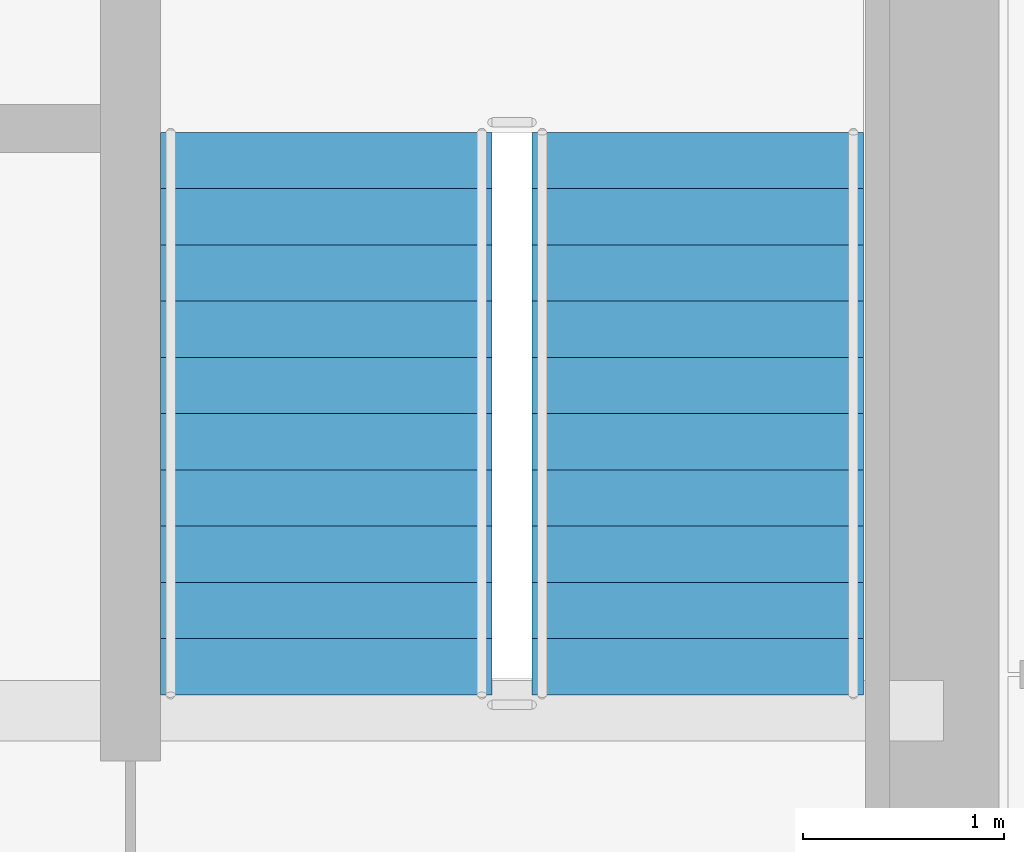
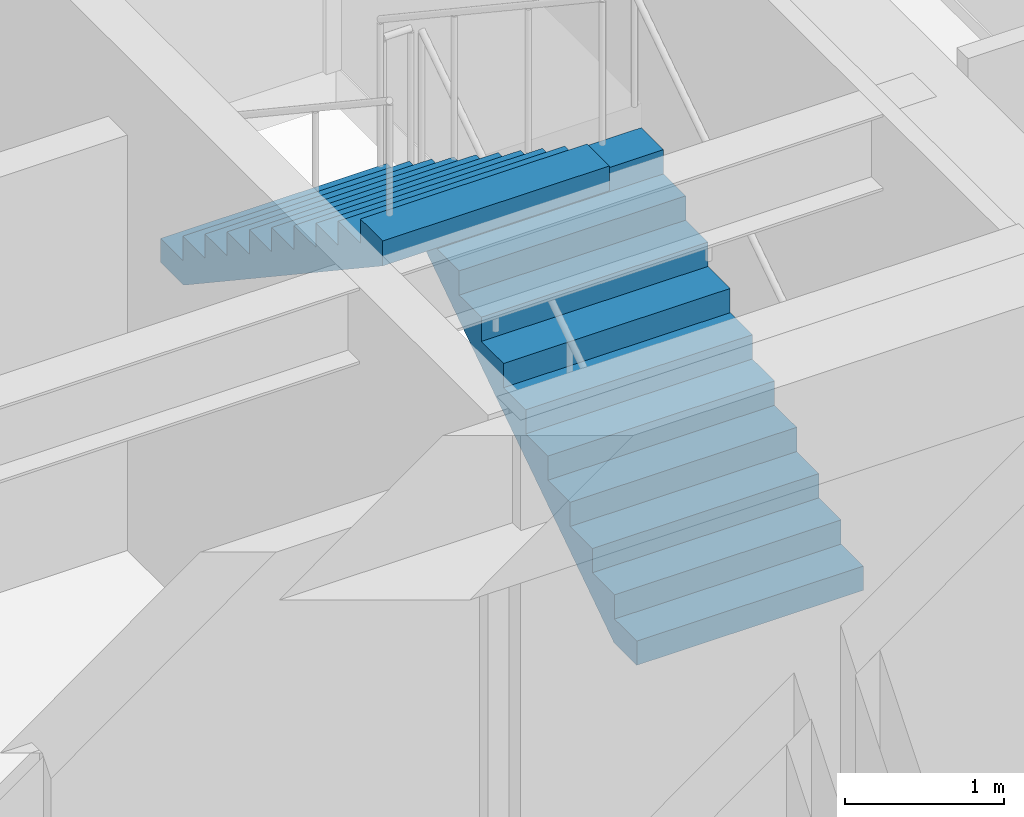
# One storey, part 31 of 35: 2 stair flights, 1 element without a shape of its own.
"""IFC4 building model written with IfcOpenShell, lengths in metres."""

from ifc_helpers import new_model, si_unit, direction, frame, origin, place, context, subcontext, project, spatial, polyline, outline, extrude, source, transform, mapped, material, type_object, type_shapes, element, aggregate, save


model = new_model("IFC4")

# Units and contexts
model_context = context("Model", 3, precision=1e-05, world=origin(), true_north=direction((0.0, 1.0)))
body_context = subcontext(model_context, "Body", "Model", "MODEL_VIEW")
ifc_project = project(units=[si_unit("LENGTHUNIT", "METRE"), si_unit("AREAUNIT", "SQUARE_METRE"), si_unit("VOLUMEUNIT", "CUBIC_METRE"), si_unit("PLANEANGLEUNIT", "RADIAN"), si_unit("MASSUNIT", "GRAM", prefix="KILO")], contexts=[model_context])

# Site, building, storey
site_placement = place(None, origin())
site = spatial("IfcSite", under=ifc_project, at=site_placement, CompositionType="ELEMENT")
building_placement = place(site_placement, origin())
building = spatial("IfcBuilding", under=site, at=building_placement, Name="Haelvirn Gate Laboratories", CompositionType="ELEMENT")
storey_placement = place(building_placement, frame((0.0, 0.0, 234.199951171875)))
storey = spatial("IfcBuildingStorey", under=building, at=storey_placement, Name="L56", CompositionType="ELEMENT", Elevation=234.199951171875)

# Stair, stair flights
ifc_material = material(Name="Concrete C40/50", Category="concrete")
stair_type = type_object("IfcStairType", Name="ST-DOG-1650-R22", PredefinedType="HALF_TURN_STAIR", material=ifc_material)
stair_placement = place(storey_placement, origin())
stair = element("IfcStair", 1, at=stair_placement, inside=storey, type_object=stair_type, Name="L56 Escape Stair ST2", PredefinedType="HALF_TURN_STAIR")
stair_flight_type = type_object("IfcStairFlightType", Name="STF-1650-R11", PredefinedType="STRAIGHT", material=ifc_material)
shared_shape = source(origin(), body_context, "Body", "SweptSolid", [
    extrude(outline(polyline([(0.0, 0.0), (0.0, 0.186279296875), (0.280029296875, 0.186279296875), (0.280029296875, 0.372802734375), (0.56005859375, 0.372802734375), (0.56005859375, 0.55908203125), (0.840087890625, 0.55908203125), (0.840087890625, 0.745361328125), (1.1201171875, 0.745361328125), (1.1201171875, 0.931884765625), (1.39990234375, 0.931884765625), (1.39990234375, 1.1181640625), (1.679931640625, 1.1181640625), (1.679931640625, 1.304443359375), (1.9599609375, 1.304443359375), (1.9599609375, 1.490966796875), (2.239990234375, 1.490966796875), (2.239990234375, 1.67724609375), (2.52001953125, 1.67724609375), (2.52001953125, 1.863525390625), (2.800048828125, 1.863525390625), (2.800048828125, 2.050048828125), (2.800048828125, 1.671630859375), (0.28857421875, 0.0), (0.0, 0.0)])), frame((0.0, 0.824951171875, 0.0), z_axis=(0.0, -1.0, 0.0), x_axis=(1.0, 0.0, 0.0)), (0.0, 0.0, 1.0), 1.64990234375),
])
type_shapes(stair_flight_type, [shared_shape])
stair_flight_1_placement = place(storey_placement, frame((66.175048828125, 26.699951171875, 0.0), z_axis=(0.0, 0.0, 1.0), x_axis=(0.0, 1.0, 0.0)))
stair_flight_1 = element("IfcStairFlight", 2, at=stair_flight_1_placement, type_object=stair_flight_type, Name="ST2 flight 1", NumberOfRisers=11, NumberOfTreads=10, PredefinedType="STRAIGHT", RiserHeight=0.186363636, TreadLength=0.28, context=body_context, shape_type="MappedRepresentation", body=[
    mapped(shared_shape, transform((0.0, 0.0, 0.0), scale=1.0)),
])
stair_flight_2_placement = place(storey_placement, frame((64.324951171875, 29.5, 2.050048828125), z_axis=(0.0, 0.0, 1.0), x_axis=(0.0, -1.0, 0.0)))
stair_flight_2 = element("IfcStairFlight", 3, at=stair_flight_2_placement, type_object=stair_flight_type, Name="ST2 flight 2", NumberOfRisers=11, NumberOfTreads=10, PredefinedType="STRAIGHT", RiserHeight=0.186363636, TreadLength=0.28, context=body_context, shape_type="MappedRepresentation", body=[
    mapped(shared_shape, transform((0.0, 0.0, 0.0), scale=1.0)),
])
aggregate(stair, [stair_flight_1, stair_flight_2])

save(model, "model.ifc")
